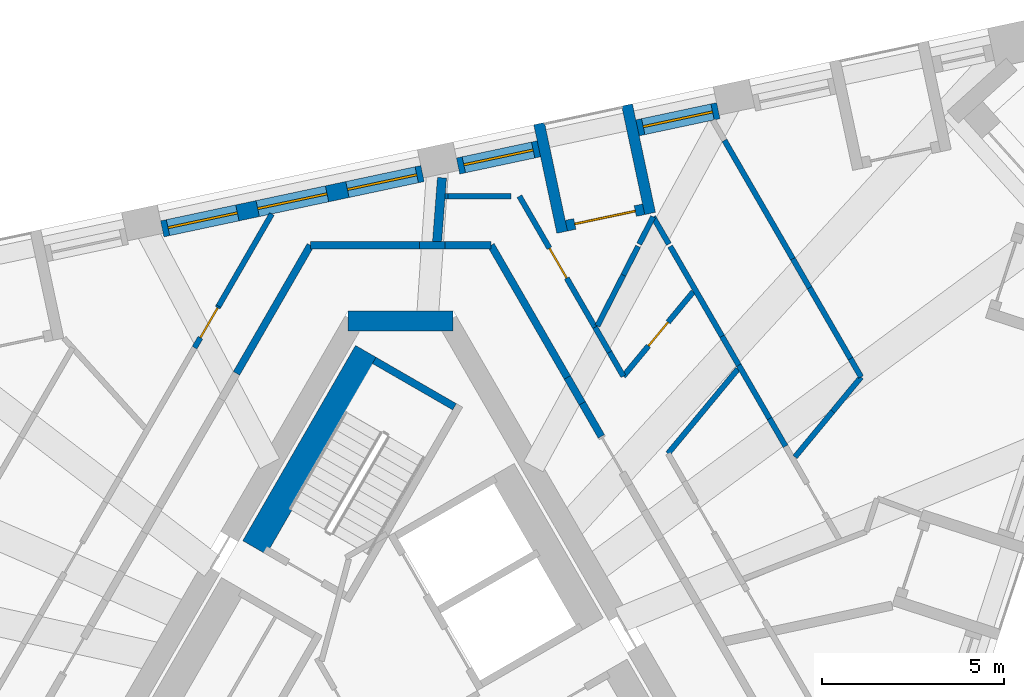
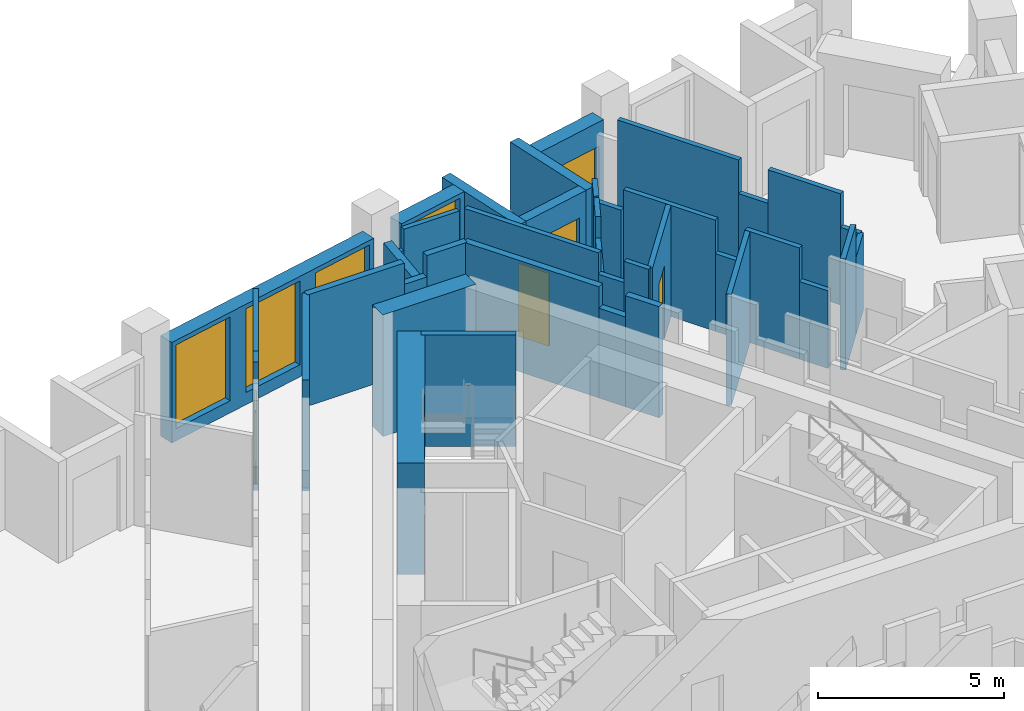
# One storey, part 7 of 12: 40 walls, 5 windows, 4 doors, 9 openings.
"""IFC4 building model written with IfcOpenShell, lengths in metres."""

from ifc_helpers import new_model, si_unit, direction, frame, frame_2d, origin, place, context, subcontext, project, spatial, polyline, rectangle, outline, extrude, material, layer, layer_set, type_object, element, fill, save


model = new_model("IFC4")

# Units and contexts
model_context = context("Model", 3, precision=1e-05, world=origin(), true_north=direction((0.0, 1.0)))
body_context = subcontext(model_context, "Body", "Model", "MODEL_VIEW")
ifc_project = project(units=[si_unit("LENGTHUNIT", "METRE"), si_unit("AREAUNIT", "SQUARE_METRE"), si_unit("VOLUMEUNIT", "CUBIC_METRE"), si_unit("PLANEANGLEUNIT", "RADIAN"), si_unit("MASSUNIT", "GRAM", prefix="KILO")], contexts=[model_context])

# Site, building, storey
site_placement = place(None, origin())
site = spatial("IfcSite", under=ifc_project, at=site_placement, CompositionType="ELEMENT")
building_placement = place(site_placement, origin())
building = spatial("IfcBuilding", under=site, at=building_placement, Name="Tramontana Tower", CompositionType="ELEMENT")
storey_placement = place(building_placement, frame((0.0, 0.0, 344.39990234375)))
storey = spatial("IfcBuildingStorey", under=building, at=storey_placement, Name="L79", CompositionType="ELEMENT", Elevation=344.39990234375)

# Walls
ifc_material_1 = material(Name="Concrete 70 MPa", Category="concrete")
ifc_layer_1 = layer(ifc_material_1, 0.550048828125)
ifc_layer_set_1 = layer_set([ifc_layer_1], Name="Core wall 550 70 MPa")
wall_type_1 = type_object("IfcWallType", Name="Core wall 550 70 MPa", PredefinedType="SHEAR", material=ifc_layer_set_1)
wall_1_placement = place(storey_placement, frame((1.443359375, 10.72509765625, 0.0), z_axis=(0.0, 0.0, 1.0), x_axis=(-1.0, 0.0, 0.0)))
element("IfcWall", 1, at=wall_1_placement, inside=storey, type_object=wall_type_1, Name="Core wall C0 L79", PredefinedType="SHEAR", context=body_context, shape_type="SweptSolid", body=[
    extrude(rectangle(XDim=2.88671875, YDim=0.550048828125, at=frame_2d((1.443359375, 0.0))), origin(), (0.0, 0.0, 1.0), 4.0),
])
ifc_material_2 = material(Name="Blockwork", Category="masonry")
ifc_layer_2 = layer(ifc_material_2, 0.199951171875)
ifc_layer_set_2 = layer_set([ifc_layer_2], Name="ENTRY WALL 200")
wall_type_2 = type_object("IfcWallType", Name="ENTRY WALL 200", PredefinedType="SOLIDWALL", material=ifc_layer_set_2)
wall_2_placement = place(storey_placement, frame((-4.515380859375, 9.279052734375, 0.0), z_axis=(0.0, 0.0, 1.0), x_axis=(0.499975428181, 0.866039589866, 0.0)))
element("IfcWall", 2, at=wall_2_placement, inside=storey, type_object=wall_type_2, Name="Wall v82-ew3-10", PredefinedType="SOLIDWALL", context=body_context, shape_type="SweptSolid", body=[
    extrude(rectangle(XDim=4.065673828125, YDim=0.199951171875, at=frame_2d((2.03271484375, 0.0))), origin(), (0.0, 0.0, 1.0), 3.650146484375),
])
wall_3_placement = place(storey_placement, frame((-2.482666015625, 12.800048828125, 0.0), z_axis=(0.0, 0.0, 1.0), x_axis=(1.0, 0.0, 0.0)))
element("IfcWall", 3, at=wall_3_placement, inside=storey, type_object=wall_type_2, Name="Wall v82-ew4-0", PredefinedType="SOLIDWALL", context=body_context, shape_type="SweptSolid", body=[
    extrude(rectangle(XDim=3.0029296875, YDim=0.199951171875, at=frame_2d((1.50146484375, 0.0))), origin(), (0.0, 0.0, 1.0), 3.650146484375),
])
wall_4_placement = place(storey_placement, frame((0.520263671875, 12.800048828125, 0.0), z_axis=(0.0, 0.0, 1.0), x_axis=(1.0, 0.0, 0.0)))
element("IfcWall", 4, at=wall_4_placement, inside=storey, type_object=wall_type_2, Name="Wall v82-ew4-1", PredefinedType="SOLIDWALL", context=body_context, shape_type="SweptSolid", body=[
    extrude(rectangle(XDim=0.701416015625, YDim=0.199951171875, at=frame_2d((0.3505859375, 0.0))), origin(), (0.0, 0.0, 1.0), 2.9501953125),
])
wall_5_placement = place(storey_placement, frame((1.2216796875, 12.800048828125, 0.0), z_axis=(0.0, 0.0, 1.0), x_axis=(1.0, 0.0, 0.0)))
element("IfcWall", 5, at=wall_5_placement, inside=storey, type_object=wall_type_2, Name="Wall v82-ew4-2", PredefinedType="SOLIDWALL", context=body_context, shape_type="SweptSolid", body=[
    extrude(rectangle(XDim=1.260986328125, YDim=0.199951171875, at=frame_2d((0.63037109375, 0.0))), origin(), (0.0, 0.0, 1.0), 3.650146484375),
])
wall_6_placement = place(storey_placement, frame((2.482666015625, 12.800048828125, 0.0), z_axis=(0.0, 0.0, 1.0), x_axis=(0.499982771656, -0.866035350345, 0.0)))
element("IfcWall", 6, at=wall_6_placement, inside=storey, type_object=wall_type_2, Name="Wall v82-ew5-0", PredefinedType="SOLIDWALL", context=body_context, shape_type="SweptSolid", body=[
    extrude(rectangle(XDim=4.194580078125, YDim=0.199951171875, at=frame_2d((2.09716796875, 0.0))), origin(), (0.0, 0.0, 1.0), 3.650146484375),
])
wall_7_placement = place(storey_placement, frame((4.579833984375, 9.16748046875, 0.0), z_axis=(0.0, 0.0, 1.0), x_axis=(0.499945576647, -0.866056822842, 0.0)))
element("IfcWall", 7, at=wall_7_placement, inside=storey, type_object=wall_type_2, Name="Wall v82-ew5-1", PredefinedType="SOLIDWALL", context=body_context, shape_type="SweptSolid", body=[
    extrude(rectangle(XDim=0.82080078125, YDim=0.199951171875, at=frame_2d((0.410400390625, 0.0))), origin(), (0.0, 0.0, 1.0), 2.9501953125),
])
wall_8_placement = place(storey_placement, frame((4.990234375, 8.45654296875, 0.0), z_axis=(0.0, 0.0, 1.0), x_axis=(0.500064554934, -0.865988129768, 0.0)))
element("IfcWall", 8, at=wall_8_placement, inside=storey, type_object=wall_type_2, Name="Wall v82-ew5-2", PredefinedType="SOLIDWALL", context=body_context, shape_type="SweptSolid", body=[
    extrude(rectangle(XDim=1.050048828125, YDim=0.199951171875, at=frame_2d((0.52490234375, 0.0))), origin(), (0.0, 0.0, 1.0), 3.650146484375),
])

# Wall, opening, window
ifc_material_3 = material(Name="Precast concrete 60 MPa", Category="concrete")
ifc_layer_3 = layer(ifc_material_3, 0.449951171875)
ifc_layer_set_3 = layer_set([ifc_layer_3], Name="Precast concrete 60 MPa, 450 mm")
wall_type_3 = type_object("IfcWallType", Name="EW1 Stone-faced precast wall 450", PredefinedType="SOLIDWALL", material=ifc_layer_set_3)
wall_9_placement = place(storey_placement, frame((8.73095703125, 16.500732421875, 0.0), z_axis=(0.0, 0.0, 1.0), x_axis=(-0.978153386925, -0.207884467067, 0.0)))
wall_9 = element("IfcWall", 9, at=wall_9_placement, inside=storey, type_object=wall_type_3, Name="External wall L79 face 2 bay 2", PredefinedType="SOLIDWALL", context=body_context, shape_type="SweptSolid", body=[
    extrude(rectangle(XDim=2.271240234375, YDim=0.449951171875, at=frame_2d((1.1357421875, 0.0))), origin(), (0.0, 0.0, 1.0), 3.300048828125),
])
opening_1_placement = place(wall_9_placement, frame((0.16064453125, 0.0, 0.39990234375)))
opening_1 = element("IfcOpeningElement", 10, at=opening_1_placement, cuts=wall_9, Name="Opening M3L", PredefinedType="OPENING", context=body_context, shape_type="SweptSolid", body=[
    extrude(rectangle(XDim=1.949951171875, YDim=2.10009765625, at=frame_2d((0.97509765625, 1.050048828125))), frame((0.0, 0.23486328125, 0.0), z_axis=(0.0, -1.0, 0.0), x_axis=(1.0, 0.0, 0.0)), (0.0, 0.0, 1.0), 0.469970703125),
])
ifc_material_4 = material(Name="Aluminum frame, double glazing unit", Category="aluminium")
window_type_1 = type_object("IfcWindowType", Name="M3L Window 1.95 x 2.1", PartitioningType="SINGLE_PANEL", PredefinedType="WINDOW", material=ifc_material_4)
window_1_placement = place(opening_1_placement, origin())
window_1 = element("IfcWindow", 11, at=window_1_placement, inside=storey, type_object=window_type_1, Name="Window M3L L79 face 2 module 4", OverallHeight=2.10009765625, OverallWidth=1.949951171875, PartitioningType="SINGLE_PANEL", PredefinedType="WINDOW", context=body_context, shape_type="SweptSolid", body=[
    extrude(rectangle(XDim=1.949951171875, YDim=2.10009765625, at=frame_2d((0.97509765625, 1.050048828125))), frame((0.0, 0.030029296875, 0.0), z_axis=(0.0, -1.0, 0.0), x_axis=(1.0, 0.0, 0.0)), (0.0, 0.0, 1.0), 0.06005859375),
])
fill(opening_1, window_1)

wall_10_placement = place(storey_placement, frame((3.798583984375, 15.452392578125, 0.0), z_axis=(0.0, 0.0, 1.0), x_axis=(-0.978153386925, -0.207884467067, 0.0)))
wall_10 = element("IfcWall", 12, at=wall_10_placement, inside=storey, type_object=wall_type_3, Name="External wall L79 face 2 bay 2", PredefinedType="SOLIDWALL", context=body_context, shape_type="SweptSolid", body=[
    extrude(rectangle(XDim=2.271240234375, YDim=0.449951171875, at=frame_2d((1.1357421875, 0.0))), origin(), (0.0, 0.0, 1.0), 3.300048828125),
])
opening_2_placement = place(wall_10_placement, frame((0.16064453125, 0.0, 0.39990234375)))
opening_2 = element("IfcOpeningElement", 13, at=opening_2_placement, cuts=wall_10, Name="Opening M3", PredefinedType="OPENING", context=body_context, shape_type="SweptSolid", body=[
    extrude(rectangle(XDim=1.949951171875, YDim=2.75, at=frame_2d((0.97509765625, 1.375))), frame((0.0, 0.23486328125, 0.0), z_axis=(0.0, -1.0, 0.0), x_axis=(1.0, 0.0, 0.0)), (0.0, 0.0, 1.0), 0.469970703125),
])
ifc_material_5 = material(Name="Aluminum frame, double glazing unit", Category="aluminium")
window_type_2 = type_object("IfcWindowType", Name="M3 Window 1.95 x 2.75", PartitioningType="SINGLE_PANEL", PredefinedType="WINDOW", material=ifc_material_5)
window_2_placement = place(opening_2_placement, origin())
window_2 = element("IfcWindow", 14, at=window_2_placement, inside=storey, type_object=window_type_2, Name="Window M3 L79 face 2 module 6", OverallHeight=2.75, OverallWidth=1.949951171875, PartitioningType="SINGLE_PANEL", PredefinedType="WINDOW", context=body_context, shape_type="SweptSolid", body=[
    extrude(rectangle(XDim=1.949951171875, YDim=2.75, at=frame_2d((0.97509765625, 1.375))), frame((0.0, 0.030029296875, 0.0), z_axis=(0.0, -1.0, 0.0), x_axis=(1.0, 0.0, 0.0)), (0.0, 0.0, 1.0), 0.06005859375),
])
fill(opening_2, window_2)

# Wall, openings, windows
wall_11_placement = place(storey_placement, frame((0.5986328125, 14.772216796875, 0.0), z_axis=(0.0, 0.0, 1.0), x_axis=(-0.978151299843, -0.207894287118, 0.0)))
wall_11 = element("IfcWall", 15, at=wall_11_placement, inside=storey, type_object=wall_type_3, Name="External wall L79 face 2 bay 3", PredefinedType="SOLIDWALL", context=body_context, shape_type="SweptSolid", body=[
    extrude(rectangle(XDim=7.31396484375, YDim=0.449951171875, at=frame_2d((3.656982421875, 0.0))), origin(), (0.0, 0.0, 1.0), 3.300048828125),
])
opening_3_placement = place(wall_11_placement, frame((0.16064453125, 0.0, 0.39990234375)))
opening_3 = element("IfcOpeningElement", 16, at=opening_3_placement, cuts=wall_11, Name="Opening M3", PredefinedType="OPENING", context=body_context, shape_type="SweptSolid", body=[
    extrude(rectangle(XDim=1.949951171875, YDim=2.75, at=frame_2d((0.97509765625, 1.375))), frame((0.0, 0.23486328125, 0.0), z_axis=(0.0, -1.0, 0.0), x_axis=(1.0, 0.0, 0.0)), (0.0, 0.0, 1.0), 0.469970703125),
])
opening_4_placement = place(wall_11_placement, frame((2.681884765625, 0.0, 0.39990234375)))
opening_4 = element("IfcOpeningElement", 17, at=opening_4_placement, cuts=wall_11, Name="Opening M3", PredefinedType="OPENING", context=body_context, shape_type="SweptSolid", body=[
    extrude(rectangle(XDim=1.949951171875, YDim=2.75, at=frame_2d((0.97509765625, 1.375))), frame((0.0, 0.23486328125, 0.0), z_axis=(0.0, -1.0, 0.0), x_axis=(1.0, 0.0, 0.0)), (0.0, 0.0, 1.0), 0.469970703125),
])
opening_5_placement = place(wall_11_placement, frame((5.203125, 0.0, 0.39990234375)))
opening_5 = element("IfcOpeningElement", 18, at=opening_5_placement, cuts=wall_11, Name="Opening M3", PredefinedType="OPENING", context=body_context, shape_type="SweptSolid", body=[
    extrude(rectangle(XDim=1.949951171875, YDim=2.75, at=frame_2d((0.97509765625, 1.375))), frame((0.0, 0.23486328125, 0.0), z_axis=(0.0, -1.0, 0.0), x_axis=(1.0, 0.0, 0.0)), (0.0, 0.0, 1.0), 0.469970703125),
])
window_3_placement = place(opening_3_placement, origin())
window_3 = element("IfcWindow", 19, at=window_3_placement, inside=storey, type_object=window_type_2, Name="Window M3 L79 face 2 module 7", OverallHeight=2.75, OverallWidth=1.949951171875, PartitioningType="SINGLE_PANEL", PredefinedType="WINDOW", context=body_context, shape_type="SweptSolid", body=[
    extrude(rectangle(XDim=1.949951171875, YDim=2.75, at=frame_2d((0.97509765625, 1.375))), frame((0.0, 0.030029296875, 0.0), z_axis=(0.0, -1.0, 0.0), x_axis=(1.0, 0.0, 0.0)), (0.0, 0.0, 1.0), 0.06005859375),
])
fill(opening_3, window_3)
window_4_placement = place(opening_4_placement, origin())
window_4 = element("IfcWindow", 20, at=window_4_placement, inside=storey, type_object=window_type_2, Name="Window M3 L79 face 2 module 8", OverallHeight=2.75, OverallWidth=1.949951171875, PartitioningType="SINGLE_PANEL", PredefinedType="WINDOW", context=body_context, shape_type="SweptSolid", body=[
    extrude(rectangle(XDim=1.949951171875, YDim=2.75, at=frame_2d((0.97509765625, 1.375))), frame((0.0, 0.030029296875, 0.0), z_axis=(0.0, -1.0, 0.0), x_axis=(1.0, 0.0, 0.0)), (0.0, 0.0, 1.0), 0.06005859375),
])
fill(opening_4, window_4)
window_5_placement = place(opening_5_placement, origin())
window_5 = element("IfcWindow", 21, at=window_5_placement, inside=storey, type_object=window_type_2, Name="Window M3 L79 face 2 module 9", OverallHeight=2.75, OverallWidth=1.949951171875, PartitioningType="SINGLE_PANEL", PredefinedType="WINDOW", context=body_context, shape_type="SweptSolid", body=[
    extrude(rectangle(XDim=1.949951171875, YDim=2.75, at=frame_2d((0.97509765625, 1.375))), frame((0.0, 0.030029296875, 0.0), z_axis=(0.0, -1.0, 0.0), x_axis=(1.0, 0.0, 0.0)), (0.0, 0.0, 1.0), 0.06005859375),
])
fill(opening_5, window_5)

# Wall, opening, door
ifc_material_6 = material(Name="Precast concrete 60 MPa", Category="concrete")
ifc_layer_4 = layer(ifc_material_6, 0.300048828125)
ifc_layer_set_4 = layer_set([ifc_layer_4], Name="LW1 Stone-faced loggia wall 300")
wall_type_4 = type_object("IfcWallType", Name="LW1 Stone-faced loggia wall 300", PredefinedType="SOLIDWALL", material=ifc_layer_set_4)
wall_12_placement = place(storey_placement, frame((6.678466796875, 13.789794921875, 0.0), z_axis=(0.0, 0.0, 1.0), x_axis=(-0.978153135692, -0.207885649183, 0.0)))
wall_12 = element("IfcWall", 22, at=wall_12_placement, inside=storey, type_object=wall_type_4, Name="Loggia wall L79 G8S2.4", PredefinedType="SOLIDWALL", context=body_context, shape_type="SweptSolid", body=[
    extrude(rectangle(XDim=2.17138671875, YDim=0.300048828125, at=frame_2d((1.085693359375, 0.0))), origin(), (0.0, 0.0, 1.0), 3.300048828125),
])
opening_6_placement = place(wall_12_placement, frame((0.235595703125, 0.0, 0.0)))
opening_6 = element("IfcOpeningElement", 23, at=opening_6_placement, cuts=wall_12, Name="Opening BD-8S2-04", PredefinedType="OPENING", context=body_context, shape_type="SweptSolid", body=[
    extrude(rectangle(XDim=1.699951171875, YDim=2.5, at=frame_2d((0.85009765625, 1.25))), frame((0.0, 0.159912109375, 0.0), z_axis=(0.0, -1.0, 0.0), x_axis=(1.0, 0.0, 0.0)), (0.0, 0.0, 1.0), 0.320068359375),
])
ifc_material_7 = material(Name="Aluminum frame, double glazing unit", Category="aluminium")
door_type_1 = type_object("IfcDoorType", Name="BD3 Sliding door 1.7 x 2.5", OperationType="SLIDING_TO_LEFT", PredefinedType="DOOR", material=ifc_material_7)
door_1_placement = place(opening_6_placement, origin())
door_1 = element("IfcDoor", 24, at=door_1_placement, inside=storey, type_object=door_type_1, Name="Loggia door L79 G8S2.4", OperationType="SLIDING_TO_LEFT", OverallHeight=2.5, OverallWidth=1.699951171875, PredefinedType="DOOR", context=body_context, shape_type="SweptSolid", body=[
    extrude(rectangle(XDim=1.699951171875, YDim=2.5, at=frame_2d((0.85009765625, 1.25))), frame((0.0, 0.02490234375, 0.0), z_axis=(0.0, -1.0, 0.0), x_axis=(1.0, 0.0, 0.0)), (0.0, 0.0, 1.0), 0.050048828125),
])
fill(opening_6, door_1)

# Walls
for number, where, z_axis, x_axis, name in (
    (25, (6.22216796875, 16.65771484375, 0.0), (0.0, 0.0, 1.0), (0.207877902534, -0.978154782045, 0.0), "Loggia return L79 G8S2.4a"),
    (26, (3.804931640625, 16.143798828125, 0.0), (0.0, 0.0, 1.0), (0.207877902534, -0.978154782045, 0.0), "Loggia return L79 G8S2.4b"),
):
    element("IfcWall", number, at=place(storey_placement, frame(where, z_axis=z_axis, x_axis=x_axis)), inside=storey, type_object=wall_type_4, Name=name, PredefinedType="SOLIDWALL", context=body_context, shape_type="SweptSolid", body=[
        extrude(rectangle(XDim=3.050048828125, YDim=0.300048828125, at=frame_2d((1.52490234375, 0.0))), origin(), (0.0, 0.0, 1.0), 3.300048828125),
    ])

# Wall, opening, door
ifc_material_8 = material(Name="Gypsum board partition")
ifc_layer_5 = layer(ifc_material_8, 0.14990234375)
ifc_layer_set_5 = layer_set([ifc_layer_5], Name="PARTITION 150")
wall_type_5 = type_object("IfcWallType", Name="PARTITION 150", PredefinedType="PARTITIONING", material=ifc_layer_set_5)
wall_13_placement = place(storey_placement, frame((-5.666748046875, 9.984619140625, 0.0), z_axis=(0.0, 0.0, 1.0), x_axis=(0.499904166098, 0.866080726444, 0.0)))
wall_13 = element("IfcWall", 27, at=wall_13_placement, inside=storey, type_object=wall_type_5, Name="Wall v82-pw03-8", PredefinedType="PARTITIONING", context=body_context, shape_type="SweptSolid", body=[
    extrude(outline(polyline([(0.0, 0.0), (1.318115234375, 0.0), (1.318115234375, 3.650146484375), (0.796875, 3.650146484375), (0.796875, 2.9501953125), (0.0, 2.9501953125), (0.0, 0.0)])), frame((0.0, 0.074951171875, 0.0), z_axis=(0.0, -1.0, 0.0), x_axis=(1.0, 0.0, 0.0)), (0.0, 0.0, 1.0), 0.14990234375),
])
opening_7_placement = place(wall_13_placement, frame((0.318115234375, 0.0, 0.0)))
opening_7 = element("IfcOpeningElement", 28, at=opening_7_placement, cuts=wall_13, Name="Opening B8C-03", PredefinedType="OPENING", context=body_context, shape_type="SweptSolid", body=[
    extrude(rectangle(XDim=0.949951171875, YDim=2.39990234375, at=frame_2d((0.47509765625, 1.199951171875))), frame((0.0, 0.0849609375, 0.0), z_axis=(0.0, -1.0, 0.0), x_axis=(1.0, 0.0, 0.0)), (0.0, 0.0, 1.0), 0.169921875),
])
ifc_material_9 = material(Name="Painted timber", Category="wood")
door_type_2 = type_object("IfcDoorType", Name="DOOR ROOM 950", OperationType="SINGLE_SWING_LEFT", PredefinedType="DOOR", material=ifc_material_9)
door_2_placement = place(opening_7_placement, origin())
door_2 = element("IfcDoor", 29, at=door_2_placement, inside=storey, type_object=door_type_2, Name="Door B8C-03", OperationType="SINGLE_SWING_LEFT", OverallHeight=2.39990234375, OverallWidth=0.949951171875, PredefinedType="DOOR", context=body_context, shape_type="SweptSolid", body=[
    extrude(rectangle(XDim=0.949951171875, YDim=2.39990234375, at=frame_2d((0.47509765625, 1.199951171875))), frame((0.0, 0.02490234375, 0.0), z_axis=(0.0, -1.0, 0.0), x_axis=(1.0, 0.0, 0.0)), (0.0, 0.0, 1.0), 0.050048828125),
])
fill(opening_7, door_2)

# Walls
wall_14_placement = place(storey_placement, frame((-5.0078125, 11.126220703125, 0.0), z_axis=(0.0, 0.0, 1.0), x_axis=(0.500013600279, 0.866017551517, 0.0)))
element("IfcWall", 30, at=wall_14_placement, inside=storey, type_object=wall_type_5, Name="Wall v82-pw03-9", PredefinedType="PARTITIONING", context=body_context, shape_type="SweptSolid", body=[
    extrude(rectangle(XDim=2.927734375, YDim=0.14990234375, at=frame_2d((1.4638671875, 0.0))), origin(), (0.0, 0.0, 1.0), 3.650146484375),
])
wall_15_placement = place(storey_placement, frame((1.220703125, 14.14990234375, 0.0), z_axis=(0.0, 0.0, 1.0), x_axis=(1.0, 0.0, 0.0)))
element("IfcWall", 31, at=wall_15_placement, inside=storey, type_object=wall_type_5, Name="Wall v82-pw08-0", PredefinedType="PARTITIONING", context=body_context, shape_type="SweptSolid", body=[
    extrude(rectangle(XDim=0.080322265625, YDim=0.14990234375, at=frame_2d((0.0400390625, 0.0))), origin(), (0.0, 0.0, 1.0), 2.9501953125),
])
wall_16_placement = place(storey_placement, frame((1.301025390625, 14.14990234375, 0.0), z_axis=(0.0, 0.0, 1.0), x_axis=(1.0, 0.0, 0.0)))
element("IfcWall", 32, at=wall_16_placement, inside=storey, type_object=wall_type_5, Name="Wall v82-pw08-1", PredefinedType="PARTITIONING", context=body_context, shape_type="SweptSolid", body=[
    extrude(rectangle(XDim=1.724365234375, YDim=0.14990234375, at=frame_2d((0.8623046875, 0.0))), origin(), (0.0, 0.0, 1.0), 3.650146484375),
])

# Wall, opening, door
wall_17_placement = place(storey_placement, frame((3.261962890625, 14.14990234375, 0.0), z_axis=(0.0, 0.0, 1.0), x_axis=(0.500032238466, -0.866006790097, 0.0)))
wall_17 = element("IfcWall", 33, at=wall_17_placement, inside=storey, type_object=wall_type_5, Name="Wall v82-pw11-0", PredefinedType="PARTITIONING", context=body_context, shape_type="SweptSolid", body=[
    extrude(rectangle(XDim=4.161376953125, YDim=0.14990234375, at=frame_2d((2.08056640625, 0.0))), origin(), (0.0, 0.0, 1.0), 3.650146484375),
])
opening_8_placement = place(wall_17_placement, frame((1.651611328125, 0.0, 0.0)))
opening_8 = element("IfcOpeningElement", 34, at=opening_8_placement, cuts=wall_17, Name="Opening B8C-11", PredefinedType="OPENING", context=body_context, shape_type="SweptSolid", body=[
    extrude(rectangle(XDim=0.949951171875, YDim=2.39990234375, at=frame_2d((0.47509765625, 1.199951171875))), frame((0.0, 0.0849609375, 0.0), z_axis=(0.0, -1.0, 0.0), x_axis=(1.0, 0.0, 0.0)), (0.0, 0.0, 1.0), 0.169921875),
])
door_3_placement = place(opening_8_placement, origin())
door_3 = element("IfcDoor", 35, at=door_3_placement, inside=storey, type_object=door_type_2, Name="Door B8C-11", OperationType="SINGLE_SWING_LEFT", OverallHeight=2.39990234375, OverallWidth=0.949951171875, PredefinedType="DOOR", context=body_context, shape_type="SweptSolid", body=[
    extrude(rectangle(XDim=0.949951171875, YDim=2.39990234375, at=frame_2d((0.47509765625, 1.199951171875))), frame((0.0, 0.02490234375, 0.0), z_axis=(0.0, -1.0, 0.0), x_axis=(1.0, 0.0, 0.0)), (0.0, 0.0, 1.0), 0.050048828125),
])
fill(opening_8, door_3)

# Walls
wall_18_placement = place(storey_placement, frame((5.3427734375, 10.546142578125, 0.0), z_axis=(0.0, 0.0, 1.0), x_axis=(0.499953838557, -0.866052053466, 0.0)))
element("IfcWall", 36, at=wall_18_placement, inside=storey, type_object=wall_type_5, Name="Wall v82-pw11-1", PredefinedType="PARTITIONING", context=body_context, shape_type="SweptSolid", body=[
    extrude(rectangle(XDim=0.79150390625, YDim=0.14990234375, at=frame_2d((0.395751953125, 0.0))), origin(), (0.0, 0.0, 1.0), 2.9501953125),
])
wall_19_placement = place(storey_placement, frame((5.738525390625, 9.860595703125, 0.0), z_axis=(0.0, 0.0, 1.0), x_axis=(0.499888569412, -0.866089728707, 0.0)))
element("IfcWall", 37, at=wall_19_placement, inside=storey, type_object=wall_type_5, Name="Wall v82-pw11-2", PredefinedType="PARTITIONING", context=body_context, shape_type="SweptSolid", body=[
    extrude(rectangle(XDim=0.763427734375, YDim=0.14990234375, at=frame_2d((0.3818359375, 0.0))), origin(), (0.0, 0.0, 1.0), 3.650146484375),
])
wall_20_placement = place(storey_placement, frame((5.40771484375, 10.58349609375, 0.0), z_axis=(0.0, 0.0, 1.0), x_axis=(0.455037050625, 0.890472505223, 0.0)))
element("IfcWall", 38, at=wall_20_placement, inside=storey, type_object=wall_type_5, Name="Wall v82-pw12-0", PredefinedType="PARTITIONING", context=body_context, shape_type="SweptSolid", body=[
    extrude(rectangle(XDim=1.5693359375, YDim=0.14990234375, at=frame_2d((0.78466796875, 0.0))), origin(), (0.0, 0.0, 1.0), 2.9501953125),
])
wall_21_placement = place(storey_placement, frame((6.121826171875, 11.98095703125, 0.0), z_axis=(0.0, 0.0, 1.0), x_axis=(0.454907271536, 0.890538811228, 0.0)))
element("IfcWall", 39, at=wall_21_placement, inside=storey, type_object=wall_type_5, Name="Wall v82-pw12-1", PredefinedType="PARTITIONING", context=body_context, shape_type="SweptSolid", body=[
    extrude(rectangle(XDim=0.88671875, YDim=0.14990234375, at=frame_2d((0.443359375, 0.0))), origin(), (0.0, 0.0, 1.0), 3.650146484375),
])

# Wall, opening, door
wall_22_placement = place(storey_placement, frame((6.1201171875, 9.199462890625, 0.0), z_axis=(0.0, 0.0, 1.0), x_axis=(0.63755942525, 0.770401180733, 0.0)))
wall_22 = element("IfcWall", 40, at=wall_22_placement, inside=storey, type_object=wall_type_5, Name="Wall v82-pw13", PredefinedType="PARTITIONING", context=body_context, shape_type="SweptSolid", body=[
    extrude(rectangle(XDim=3.01416015625, YDim=0.14990234375, at=frame_2d((1.507080078125, 0.0))), origin(), (0.0, 0.0, 1.0), 3.650146484375),
])
opening_9_placement = place(wall_22_placement, frame((1.08203125, 0.0, 0.0)))
opening_9 = element("IfcOpeningElement", 41, at=opening_9_placement, cuts=wall_22, Name="Opening B8C-09", PredefinedType="OPENING", context=body_context, shape_type="SweptSolid", body=[
    extrude(rectangle(XDim=0.85009765625, YDim=2.39990234375, at=frame_2d((0.425048828125, 1.199951171875))), frame((0.0, 0.0849609375, 0.0), z_axis=(0.0, -1.0, 0.0), x_axis=(1.0, 0.0, 0.0)), (0.0, 0.0, 1.0), 0.169921875),
])
ifc_material_10 = material(Name="Painted timber", Category="wood")
door_type_3 = type_object("IfcDoorType", Name="DOOR BATH 850", OperationType="SINGLE_SWING_LEFT", PredefinedType="DOOR", material=ifc_material_10)
door_4_placement = place(opening_9_placement, origin())
door_4 = element("IfcDoor", 42, at=door_4_placement, inside=storey, type_object=door_type_3, Name="Door B8C-09", OperationType="SINGLE_SWING_LEFT", OverallHeight=2.39990234375, OverallWidth=0.85009765625, PredefinedType="DOOR", context=body_context, shape_type="SweptSolid", body=[
    extrude(rectangle(XDim=0.85009765625, YDim=2.39990234375, at=frame_2d((0.425048828125, 1.199951171875))), frame((0.0, 0.02490234375, 0.0), z_axis=(0.0, -1.0, 0.0), x_axis=(1.0, 0.0, 0.0)), (0.0, 0.0, 1.0), 0.050048828125),
])
fill(opening_9, door_4)

# Walls
wall_23_placement = place(storey_placement, frame((6.55712890625, 12.832763671875, 0.0), z_axis=(0.0, 0.0, 1.0), x_axis=(0.454870350547, 0.890557670336, 0.0)))
element("IfcWall", 43, at=wall_23_placement, inside=storey, type_object=wall_type_5, Name="Wall v82-pw15", PredefinedType="PARTITIONING", context=body_context, shape_type="SweptSolid", body=[
    extrude(rectangle(XDim=0.840087890625, YDim=0.14990234375, at=frame_2d((0.419921875, 0.0))), origin(), (0.0, 0.0, 1.0), 3.650146484375),
])
wall_24_placement = place(storey_placement, frame((6.939208984375, 13.580810546875, 0.0), z_axis=(0.0, 0.0, 1.0), x_axis=(0.499990973765, -0.866030615021, 0.0)))
element("IfcWall", 44, at=wall_24_placement, inside=storey, type_object=wall_type_5, Name="Wall v82-pw16-0", PredefinedType="PARTITIONING", context=body_context, shape_type="SweptSolid", body=[
    extrude(rectangle(XDim=0.86572265625, YDim=0.14990234375, at=frame_2d((0.432861328125, 0.0))), origin(), (0.0, 0.0, 1.0), 2.9501953125),
])
wall_25_placement = place(storey_placement, frame((7.4072265625, 12.7705078125, 0.0), z_axis=(0.0, 0.0, 1.0), x_axis=(0.499966841219, -0.866044547169, 0.0)))
element("IfcWall", 45, at=wall_25_placement, inside=storey, type_object=wall_type_5, Name="Wall v82-pw19-0", PredefinedType="PARTITIONING", context=body_context, shape_type="SweptSolid", body=[
    extrude(rectangle(XDim=2.853759765625, YDim=0.14990234375, at=frame_2d((1.4267578125, 0.0))), origin(), (0.0, 0.0, 1.0), 3.650146484375),
])
wall_26_placement = place(storey_placement, frame((8.833984375, 10.299072265625, 0.0), z_axis=(0.0, 0.0, 1.0), x_axis=(0.499945096919, -0.866057099772, 0.0)))
element("IfcWall", 46, at=wall_26_placement, inside=storey, type_object=wall_type_5, Name="Wall v82-pw19-1", PredefinedType="PARTITIONING", context=body_context, shape_type="SweptSolid", body=[
    extrude(rectangle(XDim=0.91748046875, YDim=0.14990234375, at=frame_2d((0.458740234375, 0.0))), origin(), (0.0, 0.0, 1.0), 2.550048828125),
])
wall_27_placement = place(storey_placement, frame((9.292724609375, 9.50439453125, 0.0), z_axis=(0.0, 0.0, 1.0), x_axis=(0.500046963369, -0.865998287773, 0.0)))
element("IfcWall", 47, at=wall_27_placement, inside=storey, type_object=wall_type_5, Name="Wall v82-pw19-2", PredefinedType="PARTITIONING", context=body_context, shape_type="SweptSolid", body=[
    extrude(rectangle(XDim=1.693115234375, YDim=0.14990234375, at=frame_2d((0.8466796875, 0.0))), origin(), (0.0, 0.0, 1.0), 3.650146484375),
])
wall_28_placement = place(storey_placement, frame((10.139404296875, 8.0380859375, 0.0), z_axis=(0.0, 0.0, 1.0), x_axis=(0.499866452165, -0.866102493935, 0.0)))
element("IfcWall", 48, at=wall_28_placement, inside=storey, type_object=wall_type_5, Name="Wall v82-pw19-3", PredefinedType="PARTITIONING", context=body_context, shape_type="SweptSolid", body=[
    extrude(rectangle(XDim=0.880615234375, YDim=0.14990234375, at=frame_2d((0.4404296875, 0.0))), origin(), (0.0, 0.0, 1.0), 2.550048828125),
])
wall_29_placement = place(storey_placement, frame((9.2685546875, 9.396484375, 0.0), z_axis=(0.0, 0.0, 1.0), x_axis=(-0.637511345934, -0.770440967113, 0.0)))
element("IfcWall", 49, at=wall_29_placement, inside=storey, type_object=wall_type_5, Name="Wall v82-pw23", PredefinedType="PARTITIONING", context=body_context, shape_type="SweptSolid", body=[
    extrude(rectangle(XDim=3.013916015625, YDim=0.14990234375, at=frame_2d((1.5068359375, 0.0))), origin(), (0.0, 0.0, 1.0), 3.650146484375),
])
wall_30_placement = place(storey_placement, frame((10.838134765625, 6.979736328125, 0.0), z_axis=(0.0, 0.0, 1.0), x_axis=(0.637509370169, 0.770442601981, 0.0)))
element("IfcWall", 50, at=wall_30_placement, inside=storey, type_object=wall_type_5, Name="Wall v82-pw24-0", PredefinedType="PARTITIONING", context=body_context, shape_type="SweptSolid", body=[
    extrude(rectangle(XDim=1.627197265625, YDim=0.14990234375, at=frame_2d((0.8134765625, 0.0))), origin(), (0.0, 0.0, 1.0), 3.650146484375),
])
wall_31_placement = place(storey_placement, frame((11.87548828125, 8.2333984375, 0.0), z_axis=(0.0, 0.0, 1.0), x_axis=(0.637588147155, 0.770377410499, 0.0)))
element("IfcWall", 51, at=wall_31_placement, inside=storey, type_object=wall_type_5, Name="Wall v82-pw24-1", PredefinedType="PARTITIONING", context=body_context, shape_type="SweptSolid", body=[
    extrude(rectangle(XDim=1.22265625, YDim=0.14990234375, at=frame_2d((0.611328125, 0.0))), origin(), (0.0, 0.0, 1.0), 2.550048828125),
])
wall_32_placement = place(storey_placement, frame((12.655517578125, 9.179931640625, 0.0), z_axis=(0.0, 0.0, 1.0), x_axis=(-0.500025556299, 0.866010648346, 0.0)))
element("IfcWall", 52, at=wall_32_placement, inside=storey, type_object=wall_type_5, Name="Wall v82-pw25-0", PredefinedType="PARTITIONING", context=body_context, shape_type="SweptSolid", body=[
    extrude(rectangle(XDim=0.5810546875, YDim=0.14990234375, at=frame_2d((0.29052734375, 0.0))), origin(), (0.0, 0.0, 1.0), 2.550048828125),
])
wall_33_placement = place(storey_placement, frame((12.364990234375, 9.68310546875, 0.0), z_axis=(0.0, 0.0, 1.0), x_axis=(-0.499966648284, 0.866044658551, 0.0)))
element("IfcWall", 53, at=wall_33_placement, inside=storey, type_object=wall_type_5, Name="Wall v82-pw25-1", PredefinedType="PARTITIONING", context=body_context, shape_type="SweptSolid", body=[
    extrude(rectangle(XDim=2.250244140625, YDim=0.14990234375, at=frame_2d((1.125, 0.0))), origin(), (0.0, 0.0, 1.0), 3.650146484375),
])
wall_34_placement = place(storey_placement, frame((11.239990234375, 11.6318359375, 0.0), z_axis=(0.0, 0.0, 1.0), x_axis=(-0.499945096919, 0.866057099772, 0.0)))
element("IfcWall", 54, at=wall_34_placement, inside=storey, type_object=wall_type_5, Name="Wall v82-pw25-2", PredefinedType="PARTITIONING", context=body_context, shape_type="SweptSolid", body=[
    extrude(rectangle(XDim=0.91748046875, YDim=0.14990234375, at=frame_2d((0.458740234375, 0.0))), origin(), (0.0, 0.0, 1.0), 2.550048828125),
])
wall_35_placement = place(storey_placement, frame((10.78125, 12.426513671875, 0.0), z_axis=(0.0, 0.0, 1.0), x_axis=(-0.499999645032, 0.866025608725, 0.0)))
element("IfcWall", 55, at=wall_35_placement, inside=storey, type_object=wall_type_5, Name="Wall v82-pw25-3", PredefinedType="PARTITIONING", context=body_context, shape_type="SweptSolid", body=[
    extrude(rectangle(XDim=3.76123046875, YDim=0.14990234375, at=frame_2d((1.880615234375, 0.0))), origin(), (0.0, 0.0, 1.0), 3.650146484375),
])
ifc_material_11 = material(Name="Blockwork", Category="masonry")
ifc_layer_6 = layer(ifc_material_11, 0.25)
ifc_layer_set_6 = layer_set([ifc_layer_6], Name="PARTY WALL 250")
wall_type_6 = type_object("IfcWallType", Name="PARTY WALL 250", PredefinedType="SOLIDWALL", material=ifc_layer_set_6)
wall_36_placement = place(storey_placement, frame((1.134521484375, 14.656005859375, 0.0), z_axis=(0.0, 0.0, 1.0), x_axis=(-0.077215936693, -0.997014392635, 0.0)))
element("IfcWall", 56, at=wall_36_placement, inside=storey, type_object=wall_type_6, Name="Wall v82-pw09-0", PredefinedType="SOLIDWALL", context=body_context, shape_type="SweptSolid", body=[
    extrude(rectangle(XDim=1.76123046875, YDim=0.25, at=frame_2d((0.880615234375, 0.0))), origin(), (0.0, 0.0, 1.0), 2.9501953125),
])
ifc_material_12 = material(Name="Concrete 70 MPa", Category="concrete")
ifc_layer_7 = layer(ifc_material_12, 0.75)
ifc_layer_set_7 = layer_set([ifc_layer_7], Name="Concrete 70 MPa, 750 mm")
wall_type_7 = type_object("IfcWallType", Name="RC SHAFT BACK WALL 750", PredefinedType="SOLIDWALL", material=ifc_layer_set_7)
wall_37_placement = place(storey_placement, frame((-0.91796875, 9.85986328125, 0.0), z_axis=(0.0, 0.0, 1.0), x_axis=(-0.500026960575, -0.86600983753, 0.0)))
element("IfcWall", 57, at=wall_37_placement, inside=storey, type_object=wall_type_7, Name="Wall st1-back", PredefinedType="SOLIDWALL", context=body_context, shape_type="SweptSolid", body=[
    extrude(rectangle(XDim=6.199951171875, YDim=0.75, at=frame_2d((3.10009765625, 0.0))), origin(), (0.0, 0.0, 1.0), 3.650146484375),
])
ifc_material_13 = material(Name="Concrete 70 MPa", Category="concrete")
ifc_layer_8 = layer(ifc_material_13, 0.199951171875)
ifc_layer_set_8 = layer_set([ifc_layer_8], Name="Concrete 70 MPa, 200 mm")
wall_type_8 = type_object("IfcWallType", Name="RC STAIR AND SHAFT WALL 200", PredefinedType="SOLIDWALL", material=ifc_layer_set_8)
wall_38_placement = place(storey_placement, frame((1.478515625, 8.36083984375, 0.0), z_axis=(0.0, 0.0, 1.0), x_axis=(-0.865989465428, 0.500062241894, 0.0)))
element("IfcWall", 58, at=wall_38_placement, inside=storey, type_object=wall_type_8, Name="Wall st1-far", PredefinedType="SOLIDWALL", context=body_context, shape_type="SweptSolid", body=[
    extrude(rectangle(XDim=2.550048828125, YDim=0.199951171875, at=frame_2d((1.27490234375, 0.0))), origin(), (0.0, 0.0, 1.0), 3.650146484375),
])

save(model, "model.ifc")
